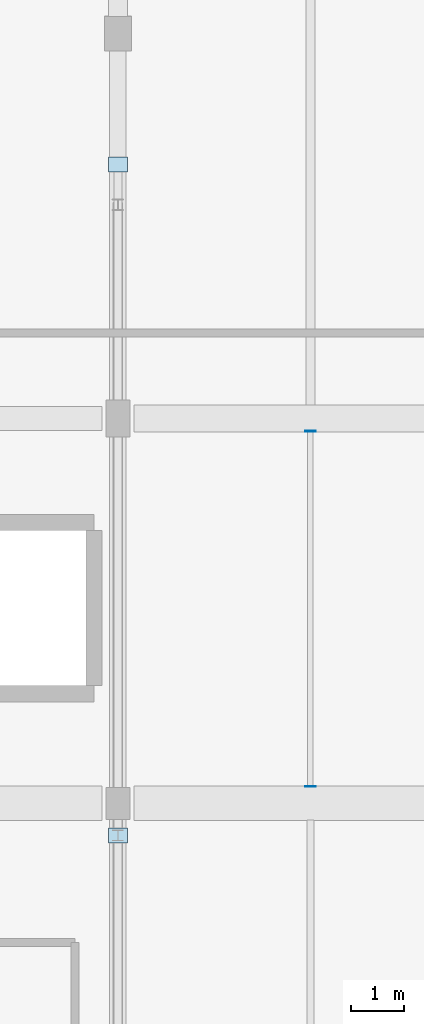
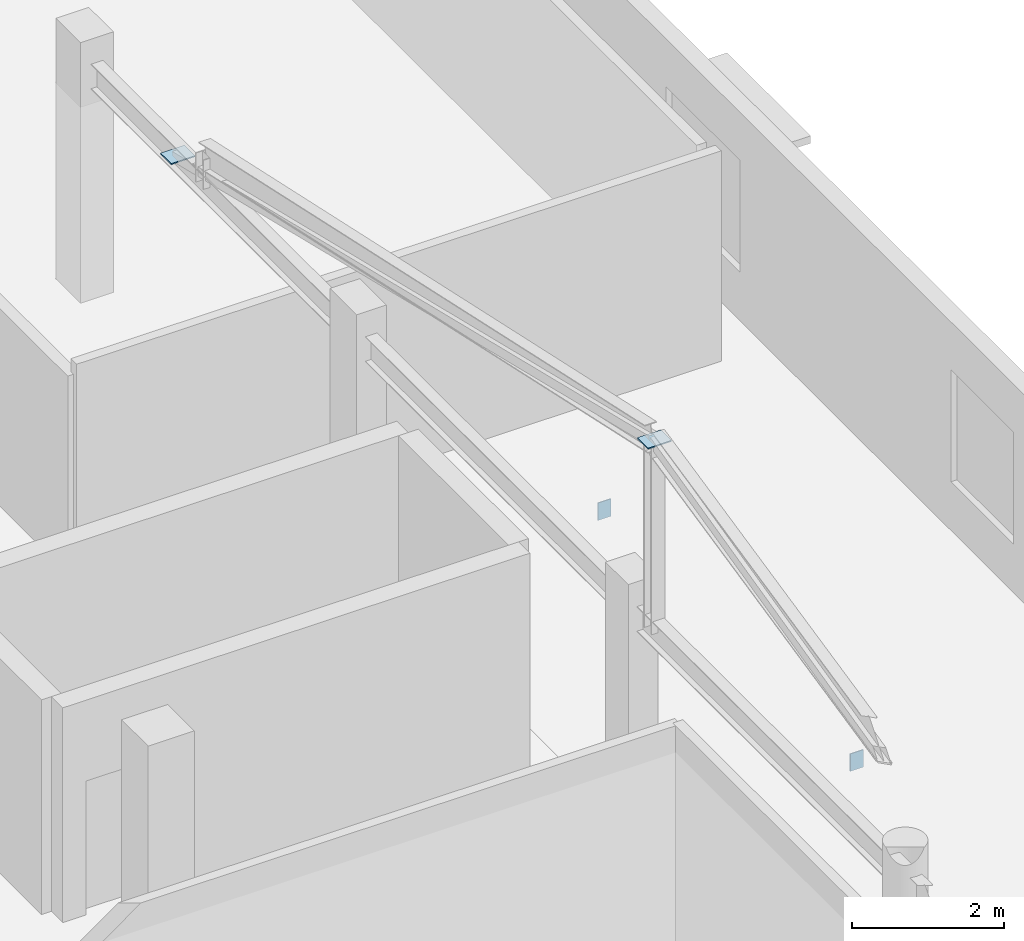
# One storey, part 31 of 41: 4 plates.
"""IFC4 building model written with IfcOpenShell, lengths in metres."""

from ifc_helpers import new_model, si_unit, direction, frame, origin, origin_2d, place, context, subcontext, project, spatial, rectangle, extrude, material, layer, layer_set, type_object, element, save


model = new_model("IFC4")

# Units and contexts
model_context = context("Model", 3, precision=1e-05, world=origin(), true_north=direction((0.0, 1.0)))
body_context = subcontext(model_context, "Body", "Model", "MODEL_VIEW")
ifc_project = project(units=[si_unit("LENGTHUNIT", "METRE"), si_unit("AREAUNIT", "SQUARE_METRE"), si_unit("VOLUMEUNIT", "CUBIC_METRE"), si_unit("PLANEANGLEUNIT", "RADIAN"), si_unit("MASSUNIT", "GRAM", prefix="KILO")], contexts=[model_context])

# Site, building, storey
site_placement = place(None, origin())
site = spatial("IfcSite", under=ifc_project, at=site_placement, CompositionType="ELEMENT")
building_placement = place(site_placement, origin())
building = spatial("IfcBuilding", under=site, at=building_placement, Name="Solanera Park Tramway Depot", CompositionType="ELEMENT")
storey_placement = place(building_placement, frame((0.0, 0.0, 13.199951171875)))
storey = spatial("IfcBuildingStorey", under=building, at=storey_placement, Name="L03", CompositionType="ELEMENT", Elevation=13.199951171875)

# Plates
ifc_material_1 = material(Name="Steel AS/NZS 3679.1 Grade 350", Category="steel")
ifc_layer_1 = layer(ifc_material_1, 0.013916015625)
ifc_layer_set_1 = layer_set([ifc_layer_1], Name="Steel AS/NZS 3679.1 Grade 350")
plate_type_1 = type_object("IfcPlateType", Name="Hollow End Cap and Base Plate 280x200x14", PredefinedType="USERDEFINED", material=ifc_layer_set_1)
for number, where, z_axis, x_axis, name in (
    (1, (183.60009765625, 18.31396484375, -0.47412109375), (0.0, 0.0, 1.0), (0.0, 1.0, 0.0), "Hollow Section Welded End Cap Plate #0066"),
    (2, (183.60009765625, 24.9609375, -0.47412109375), (0.0, 0.0, 1.0), (0.0, 1.0, 0.0), "Hollow Section Welded End Cap Plate #0067"),
):
    element("IfcPlate", number, at=place(storey_placement, frame(where, z_axis=z_axis, x_axis=x_axis)), inside=storey, type_object=plate_type_1, Name=name, ObjectType="BASE PLATE", PredefinedType="USERDEFINED", context=body_context, shape_type="SweptSolid", body=[
        extrude(rectangle(XDim=0.013916015625, YDim=0.199951171875, at=origin_2d()), origin(), (0.0, 0.0, 1.0), 0.280029296875),
    ])
ifc_material_2 = material(Name="Steel AS/NZS 3679.1 Grade 350", Category="steel")
ifc_layer_2 = layer(ifc_material_2, 0.01806640625)
ifc_layer_set_2 = layer_set([ifc_layer_2], Name="Steel AS/NZS 3679.1 Grade 350")
plate_type_2 = type_object("IfcPlateType", Name="Hollow End Cap and Base Plate 360x280x18", PredefinedType="USERDEFINED", material=ifc_layer_set_2)
for number, where, z_axis, x_axis, name in (
    (3, (180.0, 17.39990234375, 6.625), (0.0, 0.0, 1.0), (1.0, 0.0, 0.0), "Hip Truss Web Sealed Cap Plate #1138"),
    (4, (180.0, 29.949951171875, 3.587890625), (0.0, 0.0, 1.0), (1.0, 0.0, 0.0), "Hip Truss Web Sealed Cap Plate #1139"),
):
    element("IfcPlate", number, at=place(storey_placement, frame(where, z_axis=z_axis, x_axis=x_axis)), inside=storey, type_object=plate_type_2, Name=name, ObjectType="BASE PLATE", PredefinedType="USERDEFINED", context=body_context, shape_type="SweptSolid", body=[
        extrude(rectangle(XDim=0.360107421875, YDim=0.280029296875, at=origin_2d()), origin(), (0.0, 0.0, 1.0), 0.01806640625),
    ])

save(model, "model.ifc")
